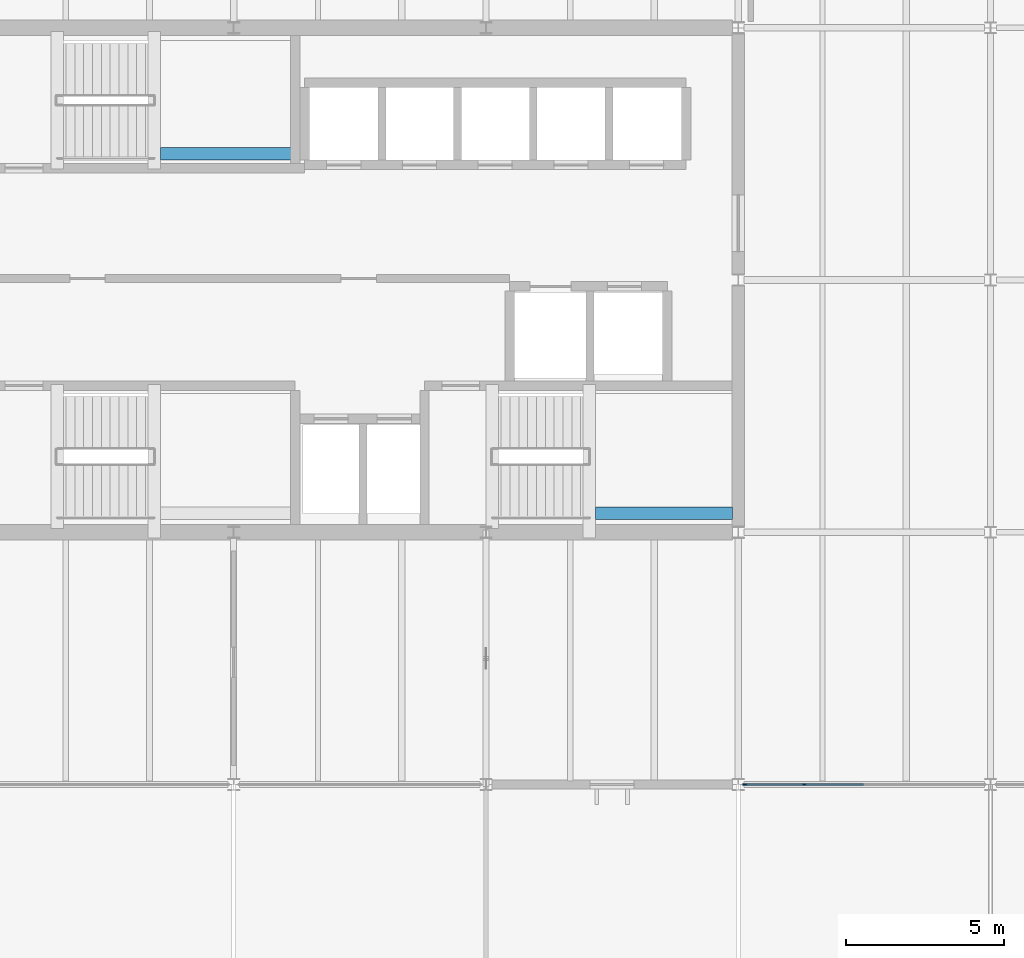
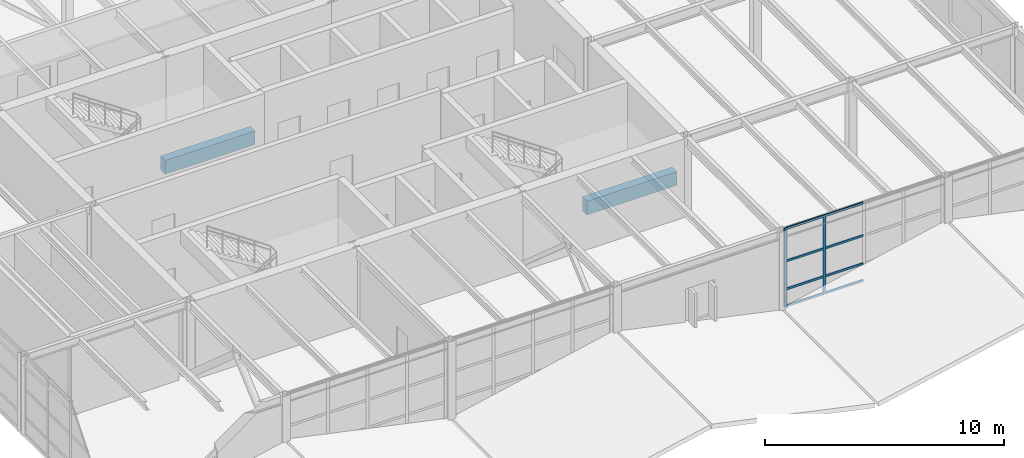
# One storey, part 9 of 34: 10 members, 2 beams, 1 element without a shape of its own.
"""IFC4 building model written with IfcOpenShell, lengths in metres."""

from ifc_helpers import new_model, si_unit, direction, frame, origin, origin_2d, place, context, subcontext, project, spatial, rectangle, extrude, material, layer, layer_set, material_profile, profile_set, type_object, element, aggregate, save


model = new_model("IFC4")

# Units and contexts
model_context = context("Model", 3, precision=1e-05, world=origin(), true_north=direction((0.0, 1.0)))
body_context = subcontext(model_context, "Body", "Model", "MODEL_VIEW")
ifc_project = project(units=[si_unit("LENGTHUNIT", "METRE"), si_unit("AREAUNIT", "SQUARE_METRE"), si_unit("VOLUMEUNIT", "CUBIC_METRE"), si_unit("PLANEANGLEUNIT", "RADIAN"), si_unit("MASSUNIT", "GRAM", prefix="KILO")], contexts=[model_context])

# Site, building, storey
site_placement = place(None, origin())
site = spatial("IfcSite", under=ifc_project, at=site_placement, CompositionType="ELEMENT")
building_placement = place(site_placement, origin())
building = spatial("IfcBuilding", under=site, at=building_placement, Name="Varnela Railside Interchange", CompositionType="ELEMENT")
storey_placement = place(building_placement, frame((0.0, 0.0, 19.60009765625)))
storey = spatial("IfcBuildingStorey", under=building, at=storey_placement, Name="L04", CompositionType="ELEMENT", Elevation=19.60009765625)

# Beams
ifc_material_1 = material(Name="Concrete C40", Category="concrete")
ifc_material_profile_1 = material_profile(ifc_material_1, rectangle(XDim=0.39990234375, YDim=0.699951171875, at=origin_2d()), Name="RC 400x700")
ifc_profile_set_1 = profile_set([ifc_material_profile_1], Name="Concrete C40")
beam_type = type_object("IfcBeamType", Name="Concrete Tie Beam B-01", PredefinedType="BEAM", material=ifc_profile_set_1)
for number, where, z_axis, x_axis, name in (
    (1, (31.47998046875, 54.60009765625, 1.58984375), (1.0, 0.0, 0.0), (0.0, 1.0, 0.0), "Concrete Tie Beam B-01 (L04) (BM-2532)"),
    (2, (17.679931640625, 66.0, 1.58984375), (1.0, 0.0, 0.0), (0.0, 1.0, 0.0), "Concrete Tie Beam B-01 (L04) (BM-2533)"),
):
    element("IfcBeam", number, at=place(storey_placement, frame(where, z_axis=z_axis, x_axis=x_axis)), inside=storey, type_object=beam_type, Name=name, PredefinedType="BEAM", context=body_context, shape_type="SweptSolid", body=[
        extrude(rectangle(XDim=0.39990234375, YDim=0.699951171875, at=origin_2d()), origin(), (0.0, 0.0, 1.0), 4.340087890625),
    ])

# Curtain wall, members
ifc_material_2 = material(Name="Aluminium 6063-T6", Category="aluminium")
ifc_layer = layer(ifc_material_2, 0.035888671875)
ifc_layer_set = layer_set([ifc_layer], Name="Aluminium 6063-T6")
curtain_wall_type = type_object("IfcCurtainWallType", Name="Operations Wing Facade Curtain Wall CW-03", PredefinedType="USERDEFINED", material=ifc_layer_set)
curtain_wall_placement = place(storey_placement, origin())
curtain_wall = element("IfcCurtainWall", 3, at=curtain_wall_placement, inside=storey, type_object=curtain_wall_type, Name="Curtain Wall CW-03 (L04) (CW-110)", ObjectType="CURTAIN WALL", PredefinedType="USERDEFINED")
ifc_material_profile_2 = material_profile(ifc_material_2, rectangle(XDim=0.06005859375, YDim=0.139892578125, at=origin_2d()), Name="ALU 60x140")
ifc_profile_set_2 = profile_set([ifc_material_profile_2], Name="Aluminium 6063-T6")
member_type_1 = type_object("IfcMemberType", Name="Curtain Wall Mullion ML-01", PredefinedType="MULLION", material=ifc_profile_set_2)
member_1_placement = place(storey_placement, frame((38.092529296875, 46.0, 0.0), z_axis=(0.0, 0.0, 1.0), x_axis=(0.0, -1.0, 0.0)))
member_1 = element("IfcMember", 4, at=member_1_placement, type_object=member_type_1, Name="CW-03 mullion 4", PredefinedType="MULLION", context=body_context, shape_type="SweptSolid", body=[
    extrude(rectangle(XDim=0.06005859375, YDim=0.139892578125, at=origin_2d()), origin(), (0.0, 0.0, 1.0), 4.02001953125),
])
member_2_placement = place(storey_placement, frame((36.215087890625, 46.0, 0.0), z_axis=(0.0, 0.0, 1.0), x_axis=(0.0, -1.0, 0.0)))
member_2 = element("IfcMember", 5, at=member_2_placement, type_object=member_type_1, Name="CW-03 mullion 5", PredefinedType="MULLION", context=body_context, shape_type="SweptSolid", body=[
    extrude(rectangle(XDim=0.06005859375, YDim=0.139892578125, at=origin_2d()), origin(), (0.0, 0.0, 1.0), 4.02001953125),
])
ifc_material_profile_3 = material_profile(ifc_material_2, rectangle(XDim=0.06005859375, YDim=0.110107421875, at=origin_2d()), Name="ALU 60x110")
ifc_profile_set_3 = profile_set([ifc_material_profile_3], Name="Aluminium 6063-T6")
member_type_2 = type_object("IfcMemberType", Name="Curtain Wall Transom TR-01", PredefinedType="USERDEFINED", material=ifc_profile_set_3)
member_3_placement = place(storey_placement, frame((39.969970703125, 46.0, 0.02978515625), z_axis=(-1.0, 0.0, 0.0), x_axis=(0.0, -1.0, 0.0)))
member_3 = element("IfcMember", 6, at=member_3_placement, type_object=member_type_2, Name="CW-03 transom 3.1", ObjectType="TRANSOM", PredefinedType="USERDEFINED", context=body_context, shape_type="SweptSolid", body=[
    extrude(rectangle(XDim=0.06005859375, YDim=0.110107421875, at=origin_2d()), origin(), (0.0, 0.0, 1.0), 1.847412109375),
])
member_4_placement = place(storey_placement, frame((39.969970703125, 46.0, 0.89990234375), z_axis=(-1.0, 0.0, 0.0), x_axis=(0.0, -1.0, 0.0)))
member_4 = element("IfcMember", 7, at=member_4_placement, type_object=member_type_2, Name="CW-03 transom 3.2", ObjectType="TRANSOM", PredefinedType="USERDEFINED", context=body_context, shape_type="SweptSolid", body=[
    extrude(rectangle(XDim=0.06005859375, YDim=0.110107421875, at=origin_2d()), origin(), (0.0, 0.0, 1.0), 1.847412109375),
])
member_5_placement = place(storey_placement, frame((39.969970703125, 46.0, 2.33154296875), z_axis=(-1.0, 0.0, 0.0), x_axis=(0.0, -1.0, 0.0)))
member_5 = element("IfcMember", 8, at=member_5_placement, type_object=member_type_2, Name="CW-03 transom 3.3", ObjectType="TRANSOM", PredefinedType="USERDEFINED", context=body_context, shape_type="SweptSolid", body=[
    extrude(rectangle(XDim=0.06005859375, YDim=0.110107421875, at=origin_2d()), origin(), (0.0, 0.0, 1.0), 1.847412109375),
])
member_6_placement = place(storey_placement, frame((39.969970703125, 46.0, 3.989990234375), z_axis=(-1.0, 0.0, 0.0), x_axis=(0.0, -1.0, 0.0)))
member_6 = element("IfcMember", 9, at=member_6_placement, type_object=member_type_2, Name="CW-03 transom 3.4", ObjectType="TRANSOM", PredefinedType="USERDEFINED", context=body_context, shape_type="SweptSolid", body=[
    extrude(rectangle(XDim=0.06005859375, YDim=0.110107421875, at=origin_2d()), origin(), (0.0, 0.0, 1.0), 1.847412109375),
])
member_7_placement = place(storey_placement, frame((38.0625, 46.0, 0.02978515625), z_axis=(-1.0, 0.0, 0.0), x_axis=(0.0, -1.0, 0.0)))
member_7 = element("IfcMember", 10, at=member_7_placement, type_object=member_type_2, Name="CW-03 transom 4.1", ObjectType="TRANSOM", PredefinedType="USERDEFINED", context=body_context, shape_type="SweptSolid", body=[
    extrude(rectangle(XDim=0.06005859375, YDim=0.110107421875, at=origin_2d()), origin(), (0.0, 0.0, 1.0), 1.8173828125),
])
member_8_placement = place(storey_placement, frame((38.0625, 46.0, 0.89990234375), z_axis=(-1.0, 0.0, 0.0), x_axis=(0.0, -1.0, 0.0)))
member_8 = element("IfcMember", 11, at=member_8_placement, type_object=member_type_2, Name="CW-03 transom 4.2", ObjectType="TRANSOM", PredefinedType="USERDEFINED", context=body_context, shape_type="SweptSolid", body=[
    extrude(rectangle(XDim=0.06005859375, YDim=0.110107421875, at=origin_2d()), origin(), (0.0, 0.0, 1.0), 1.8173828125),
])
member_9_placement = place(storey_placement, frame((38.0625, 46.0, 2.33154296875), z_axis=(-1.0, 0.0, 0.0), x_axis=(0.0, -1.0, 0.0)))
member_9 = element("IfcMember", 12, at=member_9_placement, type_object=member_type_2, Name="CW-03 transom 4.3", ObjectType="TRANSOM", PredefinedType="USERDEFINED", context=body_context, shape_type="SweptSolid", body=[
    extrude(rectangle(XDim=0.06005859375, YDim=0.110107421875, at=origin_2d()), origin(), (0.0, 0.0, 1.0), 1.8173828125),
])
member_10_placement = place(storey_placement, frame((38.0625, 46.0, 3.989990234375), z_axis=(-1.0, 0.0, 0.0), x_axis=(0.0, -1.0, 0.0)))
member_10 = element("IfcMember", 13, at=member_10_placement, type_object=member_type_2, Name="CW-03 transom 4.4", ObjectType="TRANSOM", PredefinedType="USERDEFINED", context=body_context, shape_type="SweptSolid", body=[
    extrude(rectangle(XDim=0.06005859375, YDim=0.110107421875, at=origin_2d()), origin(), (0.0, 0.0, 1.0), 1.8173828125),
])
aggregate(curtain_wall, [member_1, member_2, member_3, member_4, member_5, member_6, member_7, member_8, member_9, member_10])

save(model, "model.ifc")
